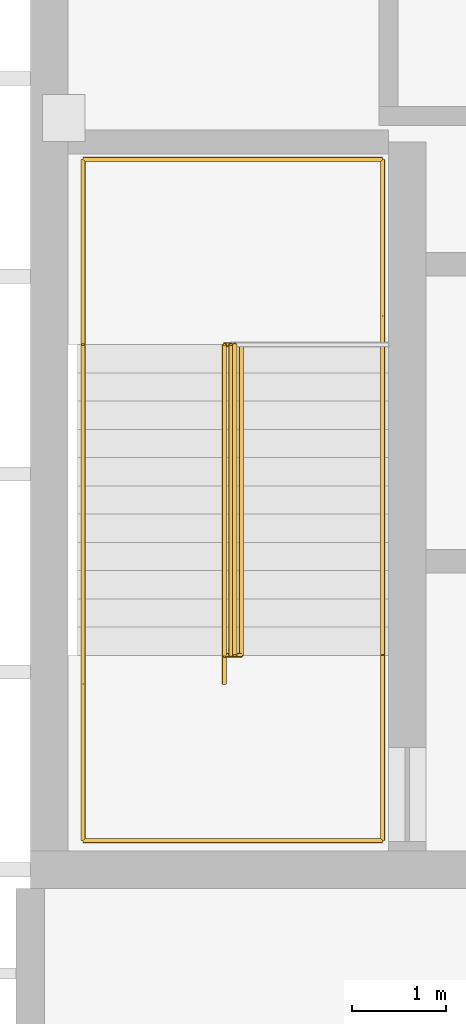
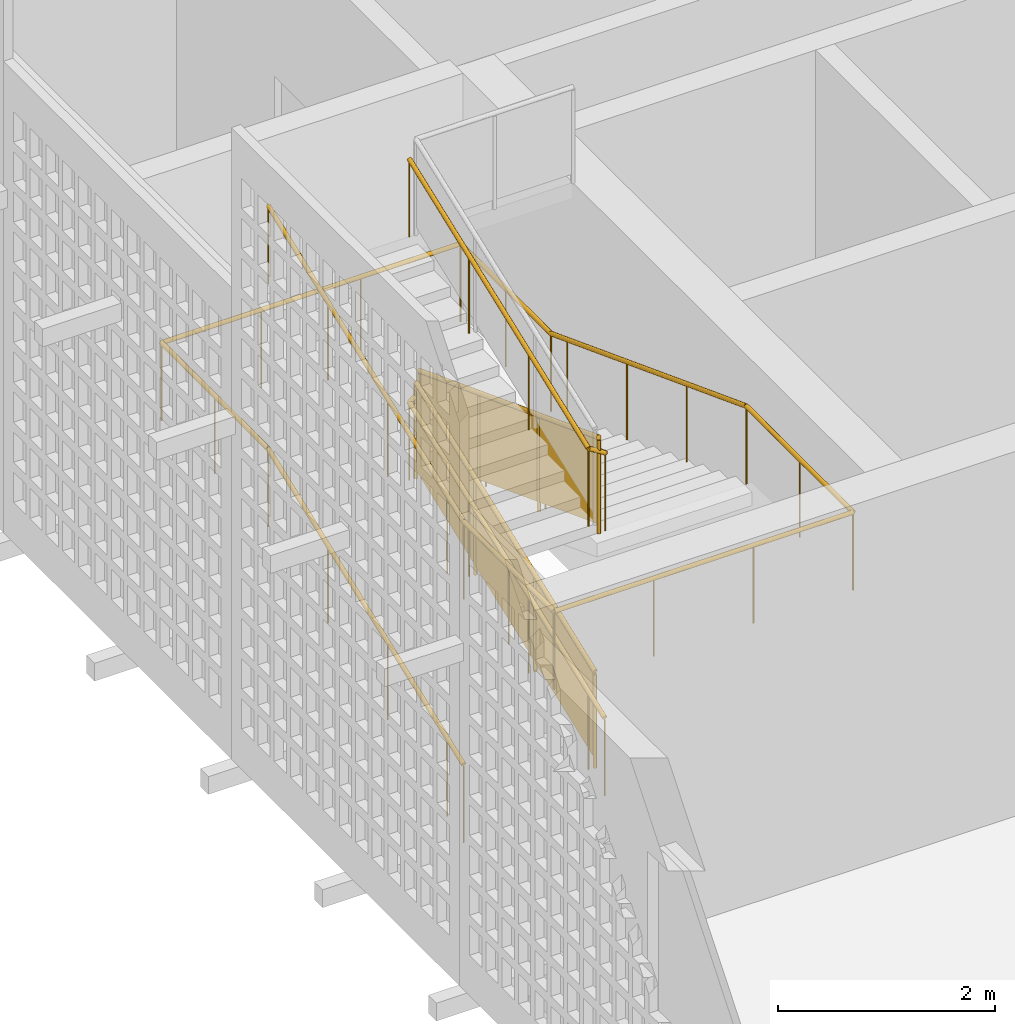
# One storey, part 10 of 23: 4 railings.
"""IFC4 building model written with IfcOpenShell, lengths in metres."""

from ifc_helpers import new_model, si_unit, direction, frame, origin, origin_2d, place, context, subcontext, project, spatial, polyline, circle, outline, extrude, material, type_object, element, save


model = new_model("IFC4")

# Units and contexts
model_context = context("Model", 3, precision=1e-05, world=origin(), true_north=direction((0.0, 1.0)))
body_context = subcontext(model_context, "Body", "Model", "MODEL_VIEW")
ifc_project = project(units=[si_unit("LENGTHUNIT", "METRE"), si_unit("AREAUNIT", "SQUARE_METRE"), si_unit("VOLUMEUNIT", "CUBIC_METRE"), si_unit("PLANEANGLEUNIT", "RADIAN"), si_unit("MASSUNIT", "GRAM", prefix="KILO")], contexts=[model_context])

# Site, building, storey
site_placement = place(None, origin())
site = spatial("IfcSite", under=ifc_project, at=site_placement, CompositionType="ELEMENT")
building_placement = place(site_placement, origin())
building = spatial("IfcBuilding", under=site, at=building_placement, Name="Rulbaag Community and Learning Centre", CompositionType="ELEMENT")
storey_placement = place(building_placement, frame((0.0, 0.0, 64.800048828125)))
storey = spatial("IfcBuildingStorey", under=building, at=storey_placement, Name="L17", CompositionType="ELEMENT", Elevation=64.800048828125)

# Railings
ifc_material_1 = material(Name="Galvanised mild steel", Category="steel")
railing_type_1 = type_object("IfcRailingType", Name="GR-1100 GUARD 1100", PredefinedType="GUARDRAIL", material=ifc_material_1)
railing_1_placement = place(storey_placement, frame((144.929931640625, 94.675048828125, 0.11376953125)))
element("IfcRailing", 1, at=railing_1_placement, inside=storey, type_object=railing_type_1, Name="Guard ST1 L17 G", PredefinedType="GUARDRAIL", context=body_context, shape_type="SweptSolid", body=[
    extrude(circle(Radius=0.02490234375, at=origin_2d()), frame((0.0, 0.0, 1.0751953125), z_axis=(0.0, 0.934885969783, 0.354948198337), x_axis=(-1.0, 0.0, 0.0)), (0.0, 0.0, 1.0), 3.52978515625),
    extrude(circle(Radius=0.02001953125, at=origin_2d()), origin(), (0.0, 0.0, 1.0), 1.050048828125),
    extrude(circle(Radius=0.02001953125, at=origin_2d()), frame((0.0, 1.10009765625, 0.417724609375)), (0.0, 0.0, 1.0), 1.050048828125),
    extrude(circle(Radius=0.02001953125, at=origin_2d()), frame((0.0, 2.199951171875, 0.835205078125)), (0.0, 0.0, 1.0), 1.050048828125),
    extrude(circle(Radius=0.02001953125, at=origin_2d()), frame((0.0, 3.300048828125, 1.2529296875)), (0.0, 0.0, 1.0), 1.050048828125),
    extrude(outline(polyline([(0.0, 0.0), (3.300048828125, 1.2529296875), (3.300048828125, 2.202880859375), (0.0, 0.949951171875), (0.0, 0.0)])), frame((-0.0048828125, 0.0, 0.10009765625), z_axis=(1.0, 0.0, 0.0), x_axis=(0.0, 1.0, 0.0)), (0.0, 0.0, 1.0), 0.010009765625),
])
railing_2_placement = place(storey_placement, frame((144.969970703125, 97.97509765625, 1.48046875)))
element("IfcRailing", 2, at=railing_2_placement, inside=storey, type_object=railing_type_1, Name="Guard ST1 L17 G2", PredefinedType="GUARDRAIL", context=body_context, shape_type="SweptSolid", body=[
    extrude(circle(Radius=0.02490234375, at=origin_2d()), frame((0.0, 0.0, 1.0751953125), z_axis=(0.0, -0.93490891941, 0.354887746208), x_axis=(1.0, 0.0, 0.0)), (0.0, 0.0, 1.0), 3.52978515625),
    extrude(circle(Radius=0.02001953125, at=origin_2d()), origin(), (0.0, 0.0, 1.0), 1.050048828125),
    extrude(circle(Radius=0.02001953125, at=origin_2d()), frame((0.0, -1.10009765625, 0.41748046875)), (0.0, 0.0, 1.0), 1.050048828125),
    extrude(circle(Radius=0.02001953125, at=origin_2d()), frame((0.0, -2.199951171875, 0.835205078125)), (0.0, 0.0, 1.0), 1.050048828125),
    extrude(circle(Radius=0.02001953125, at=origin_2d()), frame((0.0, -3.300048828125, 1.252685546875)), (0.0, 0.0, 1.0), 1.050048828125),
    extrude(outline(polyline([(0.0, 0.0), (3.300048828125, 1.252685546875), (3.300048828125, 2.20263671875), (0.0, 0.949951171875), (0.0, 0.0)])), frame((0.0048828125, 0.0, 0.10009765625), z_axis=(-1.0, 0.0, 0.0), x_axis=(0.0, -1.0, 0.0)), (0.0, 0.0, 1.0), 0.010009765625),
])
ifc_material_2 = material(Name="Stainless steel grade 316", Category="steel")
railing_type_2 = type_object("IfcRailingType", Name="HR-900 HANDRAIL 900", PredefinedType="HANDRAIL", material=ifc_material_2)
railing_3_placement = place(storey_placement, frame((143.360107421875, 94.375, 0.0)))
element("IfcRailing", 3, at=railing_3_placement, inside=storey, type_object=railing_type_2, Name="Handrail ST1 L17 O", PredefinedType="HANDRAIL", context=body_context, shape_type="SweptSolid", body=[
    extrude(circle(Radius=0.024169921875, at=origin_2d()), frame((0.0, 0.0, 0.875732421875), z_axis=(0.0, 0.935041016996, 0.354539555671), x_axis=(-1.0, 0.0, 0.0)), (0.0, 0.0, 1.0), 0.32080078125),
    extrude(circle(Radius=0.024169921875, at=origin_2d()), frame((0.0, 0.300048828125, 0.989501953125), z_axis=(0.0, 0.934885969783, 0.354948198337), x_axis=(-1.0, 0.0, 0.0)), (0.0, 0.0, 1.0), 3.52978515625),
    extrude(circle(Radius=0.024169921875, at=origin_2d()), frame((0.0, 3.60009765625, 2.242431640625), z_axis=(0.0, 1.0, 0.0), x_axis=(-1.0, 0.0, 0.0)), (0.0, 0.0, 1.0), 1.96484375),
    extrude(circle(Radius=0.024169921875, at=origin_2d()), frame((0.0, 5.56494140625, 2.242431640625), z_axis=(1.0, 0.0, 0.0), x_axis=(0.0, 1.0, 0.0)), (0.0, 0.0, 1.0), 3.179931640625),
    extrude(circle(Radius=0.024169921875, at=origin_2d()), frame((3.179931640625, 5.56494140625, 2.242431640625), z_axis=(0.0, -1.0, 0.0), x_axis=(1.0, 0.0, 0.0)), (0.0, 0.0, 1.0), 1.6650390625),
    extrude(circle(Radius=0.024169921875, at=origin_2d()), frame((3.179931640625, 3.89990234375, 2.242431640625), z_axis=(0.0, -0.934945281767, 0.354791939172), x_axis=(1.0, 0.0, 0.0)), (0.0, 0.0, 1.0), 0.320556640625),
    extrude(circle(Radius=0.024169921875, at=origin_2d()), frame((3.179931640625, 3.60009765625, 2.356201171875), z_axis=(0.0, -0.93490891941, 0.354887746208), x_axis=(1.0, 0.0, 0.0)), (0.0, 0.0, 1.0), 3.52978515625),
    extrude(circle(Radius=0.024169921875, at=origin_2d()), frame((3.179931640625, 0.300048828125, 3.60888671875), z_axis=(0.0, -1.0, 0.0), x_axis=(1.0, 0.0, 0.0)), (0.0, 0.0, 1.0), 1.965087890625),
    extrude(circle(Radius=0.024169921875, at=origin_2d()), frame((3.179931640625, -1.6650390625, 3.60888671875), z_axis=(-1.0, 0.0, 0.0), x_axis=(0.0, -1.0, 0.0)), (0.0, 0.0, 1.0), 3.179931640625),
    extrude(circle(Radius=0.024169921875, at=origin_2d()), frame((0.0, -1.6650390625, 3.60888671875), z_axis=(0.0, 1.0, 0.0), x_axis=(-1.0, 0.0, 0.0)), (0.0, 0.0, 1.0), 1.6650390625),
    extrude(circle(Radius=0.024169921875, at=origin_2d()), frame((0.0, 0.0, 3.60888671875), z_axis=(0.0, 0.934788631725, 0.355204467873), x_axis=(-1.0, 0.0, 0.0)), (0.0, 0.0, 1.0), 0.321044921875),
    extrude(circle(Radius=0.024169921875, at=origin_2d()), frame((0.0, 0.300048828125, 3.722900390625), z_axis=(0.0, 0.93490891941, 0.354887746208), x_axis=(-1.0, 0.0, 0.0)), (0.0, 0.0, 1.0), 3.52978515625),
    extrude(circle(Radius=0.008056640625, at=origin_2d()), origin(), (0.0, 0.0, 1.0), 0.8515625),
    extrude(circle(Radius=0.008056640625, at=origin_2d()), frame((0.0, 0.300048828125, 0.11376953125)), (0.0, 0.0, 1.0), 0.8515625),
    extrude(circle(Radius=0.008056640625, at=origin_2d()), frame((0.0, 1.400146484375, 0.531494140625)), (0.0, 0.0, 1.0), 0.8515625),
    extrude(circle(Radius=0.008056640625, at=origin_2d()), frame((0.0, 2.5, 0.948974609375)), (0.0, 0.0, 1.0), 0.8515625),
    extrude(circle(Radius=0.008056640625, at=origin_2d()), frame((0.0, 3.60009765625, 1.36669921875)), (0.0, 0.0, 1.0), 0.8515625),
    extrude(circle(Radius=0.008056640625, at=origin_2d()), frame((0.0, 4.58251953125, 1.36669921875)), (0.0, 0.0, 1.0), 0.8515625),
    extrude(circle(Radius=0.008056640625, at=origin_2d()), frame((0.0, 5.56494140625, 1.36669921875)), (0.0, 0.0, 1.0), 0.8515625),
    extrude(circle(Radius=0.008056640625, at=origin_2d()), frame((1.06005859375, 5.56494140625, 1.36669921875)), (0.0, 0.0, 1.0), 0.8515625),
    extrude(circle(Radius=0.008056640625, at=origin_2d()), frame((2.119873046875, 5.56494140625, 1.36669921875)), (0.0, 0.0, 1.0), 0.8515625),
    extrude(circle(Radius=0.008056640625, at=origin_2d()), frame((3.179931640625, 5.56494140625, 1.36669921875)), (0.0, 0.0, 1.0), 0.8515625),
    extrude(circle(Radius=0.008056640625, at=origin_2d()), frame((3.179931640625, 4.732421875, 1.36669921875)), (0.0, 0.0, 1.0), 0.8515625),
    extrude(circle(Radius=0.008056640625, at=origin_2d()), frame((3.179931640625, 3.89990234375, 1.36669921875)), (0.0, 0.0, 1.0), 0.8515625),
    extrude(circle(Radius=0.008056640625, at=origin_2d()), frame((3.179931640625, 3.60009765625, 1.48046875)), (0.0, 0.0, 1.0), 0.8515625),
    extrude(circle(Radius=0.008056640625, at=origin_2d()), frame((3.179931640625, 2.5, 1.89794921875)), (0.0, 0.0, 1.0), 0.8515625),
    extrude(circle(Radius=0.008056640625, at=origin_2d()), frame((3.179931640625, 1.400146484375, 2.315673828125)), (0.0, 0.0, 1.0), 0.8515625),
    extrude(circle(Radius=0.008056640625, at=origin_2d()), frame((3.179931640625, 0.300048828125, 2.733154296875)), (0.0, 0.0, 1.0), 0.8515625),
    extrude(circle(Radius=0.008056640625, at=origin_2d()), frame((3.179931640625, -0.6826171875, 2.733154296875)), (0.0, 0.0, 1.0), 0.8515625),
    extrude(circle(Radius=0.008056640625, at=origin_2d()), frame((3.179931640625, -1.6650390625, 2.733154296875)), (0.0, 0.0, 1.0), 0.8515625),
    extrude(circle(Radius=0.008056640625, at=origin_2d()), frame((2.119873046875, -1.6650390625, 2.733154296875)), (0.0, 0.0, 1.0), 0.8515625),
    extrude(circle(Radius=0.008056640625, at=origin_2d()), frame((1.06005859375, -1.6650390625, 2.733154296875)), (0.0, 0.0, 1.0), 0.8515625),
    extrude(circle(Radius=0.008056640625, at=origin_2d()), frame((0.0, -1.6650390625, 2.733154296875)), (0.0, 0.0, 1.0), 0.8515625),
    extrude(circle(Radius=0.008056640625, at=origin_2d()), frame((0.0, -0.83251953125, 2.733154296875)), (0.0, 0.0, 1.0), 0.8515625),
    extrude(circle(Radius=0.008056640625, at=origin_2d()), frame((0.0, 0.0, 2.733154296875)), (0.0, 0.0, 1.0), 0.8515625),
    extrude(circle(Radius=0.008056640625, at=origin_2d()), frame((0.0, 0.300048828125, 2.84716796875)), (0.0, 0.0, 1.0), 0.8515625),
    extrude(circle(Radius=0.008056640625, at=origin_2d()), frame((0.0, 1.400146484375, 3.2646484375)), (0.0, 0.0, 1.0), 0.8515625),
    extrude(circle(Radius=0.008056640625, at=origin_2d()), frame((0.0, 2.5, 3.682373046875)), (0.0, 0.0, 1.0), 0.8515625),
    extrude(circle(Radius=0.008056640625, at=origin_2d()), frame((0.0, 3.60009765625, 4.099853515625)), (0.0, 0.0, 1.0), 0.8515625),
])
railing_4_placement = place(storey_placement, frame((144.860107421875, 94.375, 0.0)))
element("IfcRailing", 4, at=railing_4_placement, inside=storey, type_object=railing_type_2, Name="Handrail ST1 L17 I", PredefinedType="HANDRAIL", context=body_context, shape_type="SweptSolid", body=[
    extrude(circle(Radius=0.024169921875, at=origin_2d()), frame((0.0, 0.0, 0.875732421875), z_axis=(0.0, 0.935041016996, 0.354539555671), x_axis=(-1.0, 0.0, 0.0)), (0.0, 0.0, 1.0), 0.32080078125),
    extrude(circle(Radius=0.024169921875, at=origin_2d()), frame((0.0, 0.300048828125, 0.989501953125), z_axis=(0.0, 0.934885969783, 0.354948198337), x_axis=(-1.0, 0.0, 0.0)), (0.0, 0.0, 1.0), 3.52978515625),
    extrude(circle(Radius=0.024169921875, at=origin_2d()), frame((0.0, 3.60009765625, 2.242431640625), z_axis=(0.845216278044, 0.0, 0.534424403756), x_axis=(0.0, 1.0, 0.0)), (0.0, 0.0, 1.0), 0.212890625),
    extrude(circle(Radius=0.024169921875, at=origin_2d()), frame((0.179931640625, 3.60009765625, 2.356201171875), z_axis=(0.0, -0.93490891941, 0.354887746208), x_axis=(1.0, 0.0, 0.0)), (0.0, 0.0, 1.0), 3.52978515625),
    extrude(circle(Radius=0.024169921875, at=origin_2d()), frame((0.179931640625, 0.300048828125, 3.60888671875), z_axis=(-0.844698169492, 0.0, 0.535242937792), x_axis=(0.0, -1.0, 0.0)), (0.0, 0.0, 1.0), 0.213134765625),
    extrude(circle(Radius=0.024169921875, at=origin_2d()), frame((0.0, 0.300048828125, 3.722900390625), z_axis=(0.0, 0.93490891941, 0.354887746208), x_axis=(-1.0, 0.0, 0.0)), (0.0, 0.0, 1.0), 3.52978515625),
    extrude(circle(Radius=0.008056640625, at=origin_2d()), origin(), (0.0, 0.0, 1.0), 0.8515625),
    extrude(circle(Radius=0.008056640625, at=origin_2d()), frame((0.0, 0.300048828125, 0.11376953125)), (0.0, 0.0, 1.0), 0.8515625),
    extrude(circle(Radius=0.008056640625, at=origin_2d()), frame((0.0, 1.400146484375, 0.531494140625)), (0.0, 0.0, 1.0), 0.8515625),
    extrude(circle(Radius=0.008056640625, at=origin_2d()), frame((0.0, 2.5, 0.948974609375)), (0.0, 0.0, 1.0), 0.8515625),
    extrude(circle(Radius=0.008056640625, at=origin_2d()), frame((0.0, 3.60009765625, 1.36669921875)), (0.0, 0.0, 1.0), 0.8515625),
    extrude(circle(Radius=0.008056640625, at=origin_2d()), frame((0.179931640625, 3.60009765625, 1.48046875)), (0.0, 0.0, 1.0), 0.8515625),
    extrude(circle(Radius=0.008056640625, at=origin_2d()), frame((0.179931640625, 2.5, 1.89794921875)), (0.0, 0.0, 1.0), 0.8515625),
    extrude(circle(Radius=0.008056640625, at=origin_2d()), frame((0.179931640625, 1.400146484375, 2.315673828125)), (0.0, 0.0, 1.0), 0.8515625),
    extrude(circle(Radius=0.008056640625, at=origin_2d()), frame((0.179931640625, 0.300048828125, 2.733154296875)), (0.0, 0.0, 1.0), 0.8515625),
    extrude(circle(Radius=0.008056640625, at=origin_2d()), frame((0.0, 0.300048828125, 2.84716796875)), (0.0, 0.0, 1.0), 0.8515625),
    extrude(circle(Radius=0.008056640625, at=origin_2d()), frame((0.0, 1.400146484375, 3.2646484375)), (0.0, 0.0, 1.0), 0.8515625),
    extrude(circle(Radius=0.008056640625, at=origin_2d()), frame((0.0, 2.5, 3.682373046875)), (0.0, 0.0, 1.0), 0.8515625),
    extrude(circle(Radius=0.008056640625, at=origin_2d()), frame((0.0, 3.60009765625, 4.099853515625)), (0.0, 0.0, 1.0), 0.8515625),
])

save(model, "model.ifc")
